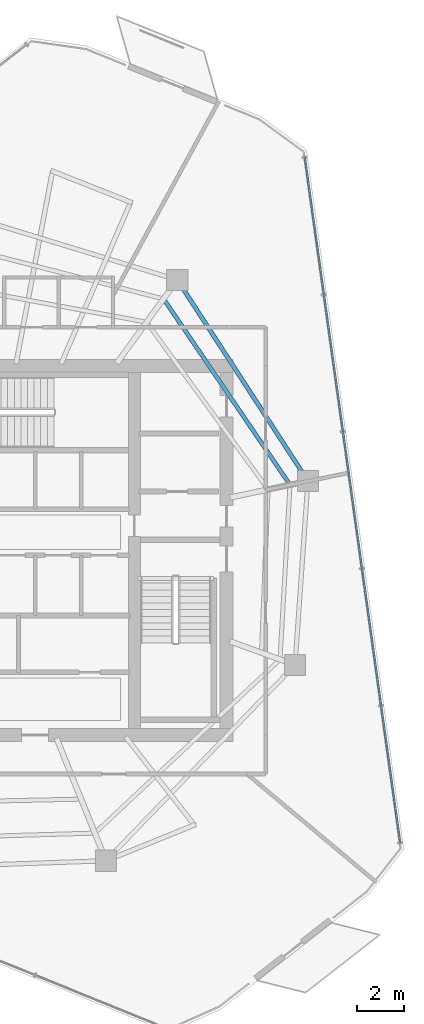
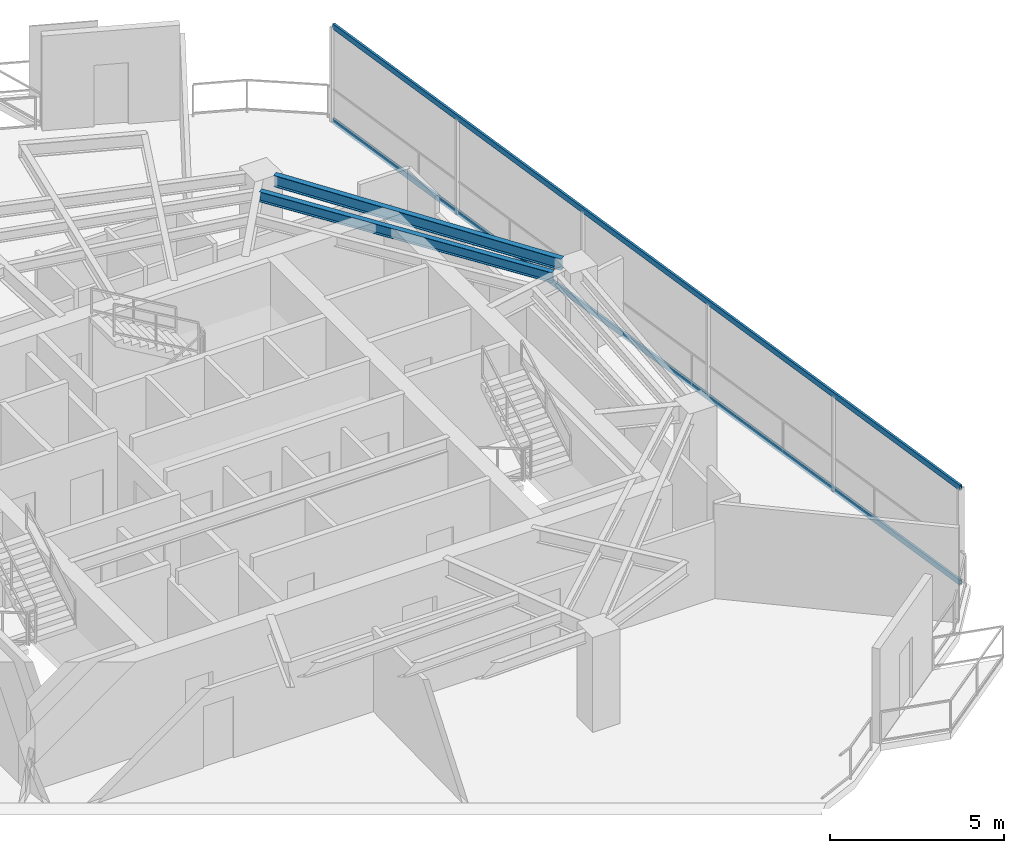
# One storey, part 10 of 19: 2 beams, 2 members, 1 element without a shape of its own.
"""IFC4 building model written with IfcOpenShell, lengths in metres."""

from ifc_helpers import new_model, si_unit, direction, frame, origin, origin_2d, place, context, subcontext, project, spatial, hollow_rectangle, i_section, extrude, material, layer, layer_set, material_profile, profile_set, type_object, element, aggregate, save


model = new_model("IFC4")

# Units and contexts
model_context = context("Model", 3, precision=1e-05, world=origin(), true_north=direction((0.0, 1.0)))
body_context = subcontext(model_context, "Body", "Model", "MODEL_VIEW")
ifc_project = project(units=[si_unit("LENGTHUNIT", "METRE"), si_unit("AREAUNIT", "SQUARE_METRE"), si_unit("VOLUMEUNIT", "CUBIC_METRE"), si_unit("PLANEANGLEUNIT", "RADIAN"), si_unit("MASSUNIT", "GRAM", prefix="KILO")], contexts=[model_context])

# Site, building, storey
site_placement = place(None, origin())
site = spatial("IfcSite", under=ifc_project, at=site_placement, CompositionType="ELEMENT")
building_placement = place(site_placement, origin())
building = spatial("IfcBuilding", under=site, at=building_placement, Name="Qarnah Convention Tower", CompositionType="ELEMENT")
storey_placement = place(building_placement, frame((0.0, 0.0, 209.39990234375)))
storey = spatial("IfcBuildingStorey", under=building, at=storey_placement, Name="L56", CompositionType="ELEMENT", Elevation=209.39990234375)

# Beams
ifc_material_1 = material(Name="Structural steel S355JR", Category="steel")
ifc_material_profile_1 = material_profile(ifc_material_1, i_section(OverallWidth=0.172119140625, OverallDepth=0.35595703125, WebThickness=0.007080078125, FlangeThickness=0.011962890625, at=origin_2d()), Name="W360X51")
ifc_profile_set_1 = profile_set([ifc_material_profile_1], Name="Structural steel S355JR")
beam_type_1 = type_object("IfcBeamType", Name="BM-JST-W360", PredefinedType="JOIST", material=ifc_profile_set_1)
beam_1_placement = place(storey_placement, frame((50.23291015625, 29.2548828125, 3.14208984375), z_axis=(-0.562374425421, 0.826882703672, 0.0), x_axis=(-0.826882703672, -0.562374425421, 0.0)))
element("IfcBeam", 1, at=beam_1_placement, inside=storey, type_object=beam_type_1, Name="L56 joist BM-L56-SJST-01", PredefinedType="JOIST", context=body_context, shape_type="SweptSolid", body=[
    extrude(i_section(OverallWidth=0.172119140625, OverallDepth=0.35595703125, WebThickness=0.007080078125, FlangeThickness=0.011962890625, at=origin_2d()), origin(), (0.0, 0.0, 1.0), 9.33154296875),
])
ifc_material_profile_2 = material_profile(ifc_material_1, i_section(OverallWidth=0.179931640625, OverallDepth=0.39990234375, WebThickness=0.009033203125, FlangeThickness=0.013916015625, at=origin_2d()), Name="IPE400")
ifc_profile_set_2 = profile_set([ifc_material_profile_2], Name="Structural steel S355JR")
beam_type_2 = type_object("IfcBeamType", Name="BM-SPN-IPE400", PredefinedType="SPANDREL", material=ifc_profile_set_2)
beam_2_placement = place(storey_placement, frame((50.801025390625, 29.7109375, 3.1201171875), z_axis=(-0.544586178954, 0.838704890705, 0.0), x_axis=(-0.838704890705, -0.544586178954, 0.0)))
element("IfcBeam", 2, at=beam_2_placement, inside=storey, type_object=beam_type_2, Name="L56 spandrel BM-L56-SPN-01", PredefinedType="SPANDREL", context=body_context, shape_type="SweptSolid", body=[
    extrude(i_section(OverallWidth=0.179931640625, OverallDepth=0.39990234375, WebThickness=0.009033203125, FlangeThickness=0.013916015625, at=origin_2d()), origin(), (0.0, 0.0, 1.0), 9.261962890625),
])

# Curtain wall, members
ifc_material_2 = material(Name="Tempered Low-E dark glass", Category="glass")
ifc_layer = layer(ifc_material_2, 0.174072265625)
ifc_layer_set = layer_set([ifc_layer], Name="Tempered Low-E dark glass")
curtain_wall_type = type_object("IfcCurtainWallType", Name="CWS-04", PredefinedType="NOTDEFINED", material=ifc_layer_set)
curtain_wall_placement = place(storey_placement, origin())
curtain_wall = element("IfcCurtainWall", 3, at=curtain_wall_placement, inside=storey, type_object=curtain_wall_type, Name="L56 unitised curtain wall CW-L56-F1", PredefinedType="NOTDEFINED")
ifc_material_3 = material(Name="Black anodised aluminium", Category="aluminium")
ifc_material_profile_3 = material_profile(ifc_material_3, hollow_rectangle(XDim=0.074951171875, YDim=0.18994140625, WallThickness=0.0048828125, at=origin_2d()), Name="TRN-75X190")
ifc_profile_set_3 = profile_set([ifc_material_profile_3], Name="Black anodised aluminium")
member_type = type_object("IfcMemberType", Name="TRN-T4", PredefinedType="USERDEFINED", material=ifc_profile_set_3)
member_1_placement = place(storey_placement, frame((50.910888671875, 43.035888671875, 0.0), z_axis=(0.137811334051, -0.990458497973, 0.0), x_axis=(0.990458497973, 0.137811334051, 0.0)))
member_1 = element("IfcMember", 4, at=member_1_placement, type_object=member_type, Name="CW-L56-F1 transom 1", ObjectType="TRANSOM", PredefinedType="USERDEFINED", context=body_context, shape_type="SweptSolid", body=[
    extrude(hollow_rectangle(XDim=0.074951171875, YDim=0.18994140625, WallThickness=0.0048828125, at=origin_2d()), origin(), (0.0, 0.0, 1.0), 29.273193359375),
])
member_2_placement = place(storey_placement, frame((50.910888671875, 43.035888671875, 3.320068359375), z_axis=(0.137811334051, -0.990458497973, 0.0), x_axis=(0.990458497973, 0.137811334051, 0.0)))
member_2 = element("IfcMember", 5, at=member_2_placement, type_object=member_type, Name="CW-L56-F1 transom 2", ObjectType="TRANSOM", PredefinedType="USERDEFINED", context=body_context, shape_type="SweptSolid", body=[
    extrude(hollow_rectangle(XDim=0.074951171875, YDim=0.18994140625, WallThickness=0.0048828125, at=origin_2d()), origin(), (0.0, 0.0, 1.0), 29.273193359375),
])
aggregate(curtain_wall, [member_1, member_2])

save(model, "model.ifc")
